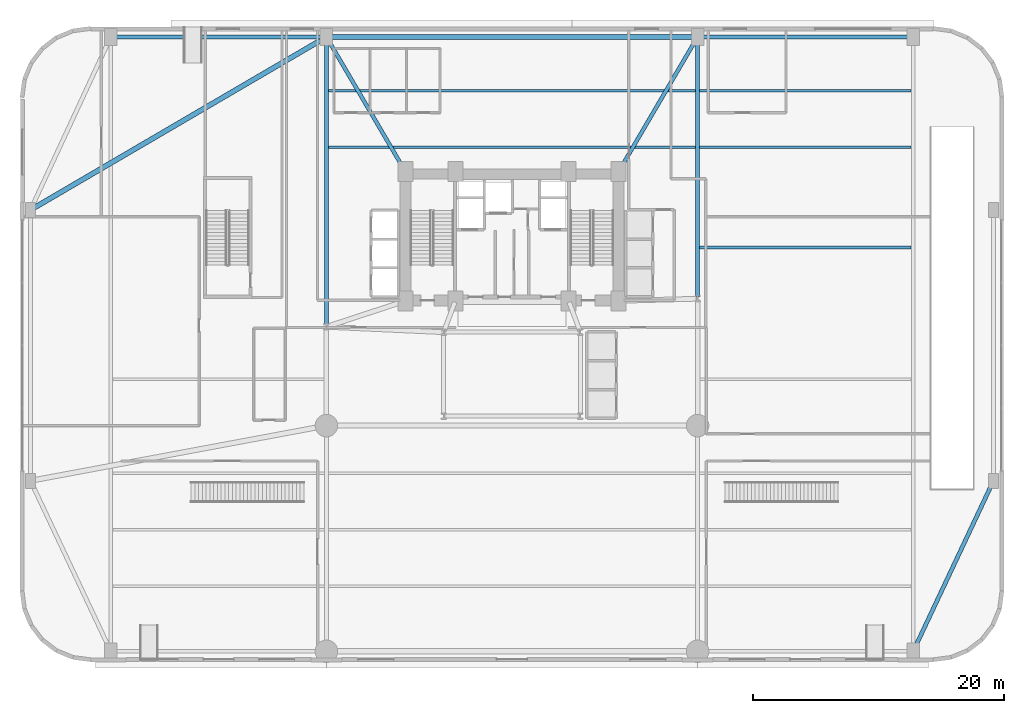
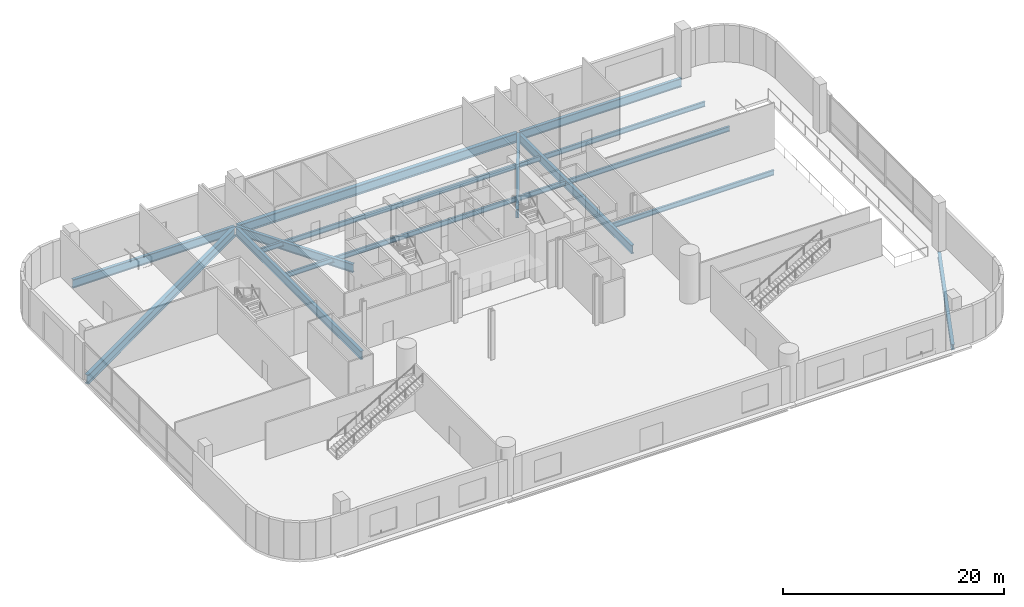
# One storey, part 11 of 26: 14 beams.
"""IFC4 building model written with IfcOpenShell, lengths in metres."""

from ifc_helpers import new_model, si_unit, direction, frame, origin, origin_2d, place, context, subcontext, project, spatial, i_section, extrude, material, material_profile, profile_set, type_object, element, save


model = new_model("IFC4")

# Units and contexts
model_context = context("Model", 3, precision=1e-05, world=origin(), true_north=direction((0.0, 1.0)))
body_context = subcontext(model_context, "Body", "Model", "MODEL_VIEW")
ifc_project = project(units=[si_unit("LENGTHUNIT", "METRE"), si_unit("AREAUNIT", "SQUARE_METRE"), si_unit("VOLUMEUNIT", "CUBIC_METRE"), si_unit("PLANEANGLEUNIT", "RADIAN"), si_unit("MASSUNIT", "GRAM", prefix="KILO")], contexts=[model_context])

# Site, building, storey
site_placement = place(None, origin())
site = spatial("IfcSite", under=ifc_project, at=site_placement, CompositionType="ELEMENT")
building_placement = place(site_placement, origin())
building = spatial("IfcBuilding", under=site, at=building_placement, Name="Varnelok Gate Tower", CompositionType="ELEMENT")
storey_placement = place(building_placement, origin())
storey = spatial("IfcBuildingStorey", under=building, at=storey_placement, Name="L00", CompositionType="ELEMENT", Elevation=0.0)

# Beams
ifc_material = material(Name="Structural Steel ASTM A992 Grade 50", Category="steel")
ifc_material_profile_1 = material_profile(ifc_material, i_section(OverallWidth=0.2119140625, OverallDepth=0.5439453125, WebThickness=0.01318359375, FlangeThickness=0.021240234375, FilletRadius=0.01611328125, at=origin_2d()), Name="W21X83")
ifc_profile_set_1 = profile_set([ifc_material_profile_1], Name="Structural Steel ASTM A992 Grade 50")
beam_type_1 = type_object("IfcBeamType", Name="BM-JST-W21X83", PredefinedType="JOIST", material=ifc_profile_set_1)
for number, where, z_axis, x_axis, name in (
    (1, (54.159912109375, 33.0, -0.592041015625), (1.0, 0.0, 0.0), (0.0, 1.0, 0.0), "L00 Podium Floor Joist"),
    (2, (54.159912109375, 41.0, -0.592041015625), (1.0, 0.0, 0.0), (0.0, 1.0, 0.0), "L00 Podium Floor Joist"),
):
    element("IfcBeam", number, at=place(storey_placement, frame(where, z_axis=z_axis, x_axis=x_axis)), inside=storey, type_object=beam_type_1, Name=name, PredefinedType="JOIST", context=body_context, shape_type="SweptSolid", body=[
        extrude(i_section(OverallWidth=0.2119140625, OverallDepth=0.5439453125, WebThickness=0.01318359375, FlangeThickness=0.021240234375, FilletRadius=0.01611328125, at=origin_2d()), origin(), (0.0, 0.0, 1.0), 16.880126953125),
    ])
beam_1_placement = place(storey_placement, frame((24.56005859375, 41.0, -0.592041015625), z_axis=(1.0, 0.0, 0.0), x_axis=(0.0, 1.0, 0.0)))
element("IfcBeam", 3, at=beam_1_placement, inside=storey, type_object=beam_type_1, Name="L00 Central Bay Joist", PredefinedType="JOIST", context=body_context, shape_type="SweptSolid", body=[
    extrude(i_section(OverallWidth=0.2119140625, OverallDepth=0.5439453125, WebThickness=0.01318359375, FlangeThickness=0.021240234375, FilletRadius=0.01611328125, at=origin_2d()), origin(), (0.0, 0.0, 1.0), 29.280029296875),
])
beam_2_placement = place(storey_placement, frame((54.159912109375, 45.5, -0.592041015625), z_axis=(1.0, 0.0, 0.0), x_axis=(0.0, 1.0, 0.0)))
element("IfcBeam", 4, at=beam_2_placement, inside=storey, type_object=beam_type_1, Name="L00 Podium Floor Joist", PredefinedType="JOIST", context=body_context, shape_type="SweptSolid", body=[
    extrude(i_section(OverallWidth=0.2119140625, OverallDepth=0.5439453125, WebThickness=0.01318359375, FlangeThickness=0.021240234375, FilletRadius=0.01611328125, at=origin_2d()), origin(), (0.0, 0.0, 1.0), 16.880126953125),
])
beam_3_placement = place(storey_placement, frame((24.56005859375, 45.5, -0.592041015625), z_axis=(1.0, 0.0, 0.0), x_axis=(0.0, 1.0, 0.0)))
element("IfcBeam", 5, at=beam_3_placement, inside=storey, type_object=beam_type_1, Name="L00 Central Bay Joist", PredefinedType="JOIST", context=body_context, shape_type="SweptSolid", body=[
    extrude(i_section(OverallWidth=0.2119140625, OverallDepth=0.5439453125, WebThickness=0.01318359375, FlangeThickness=0.021240234375, FilletRadius=0.01611328125, at=origin_2d()), origin(), (0.0, 0.0, 1.0), 29.280029296875),
])
ifc_material_profile_2 = material_profile(ifc_material, i_section(OverallWidth=0.30810546875, OverallDepth=0.943115234375, WebThickness=0.022216796875, FlangeThickness=0.039794921875, FilletRadius=0.02587890625, at=origin_2d()), Name="W36X232")
ifc_profile_set_2 = profile_set([ifc_material_profile_2], Name="Structural Steel ASTM A992 Grade 50")
beam_type_2 = type_object("IfcBeamType", Name="BM-PRI-W36X232", PredefinedType="BEAM", material=ifc_profile_set_2)
beam_4_placement = place(storey_placement, frame((7.340087890625, 49.800048828125, -0.79150390625), z_axis=(1.0, 0.0, 0.0), x_axis=(0.0, 1.0, 0.0)))
element("IfcBeam", 6, at=beam_4_placement, inside=storey, type_object=beam_type_2, Name="L00 Podium Primary Girder 3", PredefinedType="BEAM", context=body_context, shape_type="SweptSolid", body=[
    extrude(i_section(OverallWidth=0.30810546875, OverallDepth=0.943115234375, WebThickness=0.022216796875, FlangeThickness=0.039794921875, FilletRadius=0.02587890625, at=origin_2d()), origin(), (0.0, 0.0, 1.0), 16.919921875),
])
beam_5_placement = place(storey_placement, frame((54.139892578125, 49.800048828125, -0.79150390625), z_axis=(1.0, 0.0, 0.0), x_axis=(0.0, 1.0, 0.0)))
element("IfcBeam", 7, at=beam_5_placement, inside=storey, type_object=beam_type_2, Name="L00 Podium Primary Girder 5", PredefinedType="BEAM", context=body_context, shape_type="SweptSolid", body=[
    extrude(i_section(OverallWidth=0.30810546875, OverallDepth=0.943115234375, WebThickness=0.022216796875, FlangeThickness=0.039794921875, FilletRadius=0.02587890625, at=origin_2d()), origin(), (0.0, 0.0, 1.0), 16.920166015625),
])
for number, where, z_axis, x_axis, name in (
    (8, (24.470703125, 49.67919921875, -0.79150390625), (0.505622271853, -0.862754958378, 0.0), (0.862754958378, 0.505622271853, 0.0), "L00 Podium Primary Girder 20"),
    (9, (53.92919921875, 49.67919921875, -0.79150390625), (-0.505622271853, -0.862754958378, 0.0), (0.862754958378, -0.505622271853, 0.0), "L00 Podium Primary Girder 21"),
):
    element("IfcBeam", number, at=place(storey_placement, frame(where, z_axis=z_axis, x_axis=x_axis)), inside=storey, type_object=beam_type_2, Name=name, PredefinedType="BEAM", context=body_context, shape_type="SweptSolid", body=[
        extrude(i_section(OverallWidth=0.30810546875, OverallDepth=0.943115234375, WebThickness=0.022216796875, FlangeThickness=0.039794921875, FilletRadius=0.02587890625, at=origin_2d()), origin(), (0.0, 0.0, 1.0), 12.179931640625),
    ])
beam_6_placement = place(storey_placement, frame((24.39990234375, 26.820068359375, -0.79150390625), z_axis=(0.0, 1.0, 0.0), x_axis=(-1.0, 0.0, 0.0)))
element("IfcBeam", 10, at=beam_6_placement, inside=storey, type_object=beam_type_2, Name="L00 Podium Primary Girder 22", PredefinedType="BEAM", context=body_context, shape_type="SweptSolid", body=[
    extrude(i_section(OverallWidth=0.30810546875, OverallDepth=0.943115234375, WebThickness=0.022216796875, FlangeThickness=0.039794921875, FilletRadius=0.02587890625, at=origin_2d()), origin(), (0.0, 0.0, 1.0), 22.83984375),
])
beam_7_placement = place(storey_placement, frame((54.0, 29.06005859375, -0.79150390625), z_axis=(0.0, 1.0, 0.0), x_axis=(-1.0, 0.0, 0.0)))
element("IfcBeam", 11, at=beam_7_placement, inside=storey, type_object=beam_type_2, Name="L00 Podium Primary Girder 23", PredefinedType="BEAM", context=body_context, shape_type="SweptSolid", body=[
    extrude(i_section(OverallWidth=0.30810546875, OverallDepth=0.943115234375, WebThickness=0.022216796875, FlangeThickness=0.039794921875, FilletRadius=0.02587890625, at=origin_2d()), origin(), (0.0, 0.0, 1.0), 20.599853515625),
])
ifc_material_profile_3 = material_profile(ifc_material, i_section(OverallWidth=0.323974609375, OverallDepth=0.611083984375, WebThickness=0.0126953125, FlangeThickness=0.01904296875, FilletRadius=0.01806640625, at=origin_2d()), Name="W24X104")
ifc_profile_set_3 = profile_set([ifc_material_profile_3], Name="Structural Steel ASTM A992 Grade 50")
beam_type_3 = type_object("IfcBeamType", Name="BM-SPN-W24X104", PredefinedType="SPANDREL", material=ifc_profile_set_3)
beam_8_placement = place(storey_placement, frame((71.259521484375, 0.9267578125, -0.62548828125), z_axis=(0.425801818887, 0.90481645157, 0.0), x_axis=(-0.90481645157, 0.425801818887, 0.0)))
element("IfcBeam", 12, at=beam_8_placement, inside=storey, type_object=beam_type_3, Name="L00 Podium Primary Girder 10", PredefinedType="SPANDREL", context=body_context, shape_type="SweptSolid", body=[
    extrude(i_section(OverallWidth=0.323974609375, OverallDepth=0.611083984375, WebThickness=0.0126953125, FlangeThickness=0.01904296875, FilletRadius=0.01806640625, at=origin_2d()), origin(), (0.0, 0.0, 1.0), 14.75048828125),
])
ifc_material_profile_4 = material_profile(ifc_material, i_section(OverallWidth=0.404052734375, OverallDepth=1.02001953125, WebThickness=0.025390625, FlangeThickness=0.0458984375, FilletRadius=0.030029296875, at=origin_2d()), Name="W40X324")
ifc_profile_set_4 = profile_set([ifc_material_profile_4], Name="Structural Steel ASTM A992 Grade 50")
beam_type_4 = type_object("IfcBeamType", Name="BM-SPR-W40X324", PredefinedType="BEAM", material=ifc_profile_set_4)
beam_9_placement = place(storey_placement, frame((24.5400390625, 49.800048828125, -0.830078125), z_axis=(1.0, 0.0, 0.0), x_axis=(0.0, 1.0, 0.0)))
element("IfcBeam", 13, at=beam_9_placement, inside=storey, type_object=beam_type_4, Name="L00 Podium Primary Girder 4", PredefinedType="BEAM", context=body_context, shape_type="SweptSolid", body=[
    extrude(i_section(OverallWidth=0.404052734375, OverallDepth=1.02001953125, WebThickness=0.025390625, FlangeThickness=0.0458984375, FilletRadius=0.030029296875, at=origin_2d()), origin(), (0.0, 0.0, 1.0), 29.320068359375),
])
beam_10_placement = place(storey_placement, frame((0.9208984375, 36.07080078125, -0.830078125), z_axis=(0.863249918026, 0.504776761578, 0.0), x_axis=(-0.504776761578, 0.863249918026, 0.0)))
element("IfcBeam", 14, at=beam_10_placement, inside=storey, type_object=beam_type_4, Name="L00 Podium Primary Girder 18", PredefinedType="BEAM", context=body_context, shape_type="SweptSolid", body=[
    extrude(i_section(OverallWidth=0.404052734375, OverallDepth=1.02001953125, WebThickness=0.025390625, FlangeThickness=0.0458984375, FilletRadius=0.030029296875, at=origin_2d()), origin(), (0.0, 0.0, 1.0), 27.058349609375),
])

save(model, "model.ifc")
